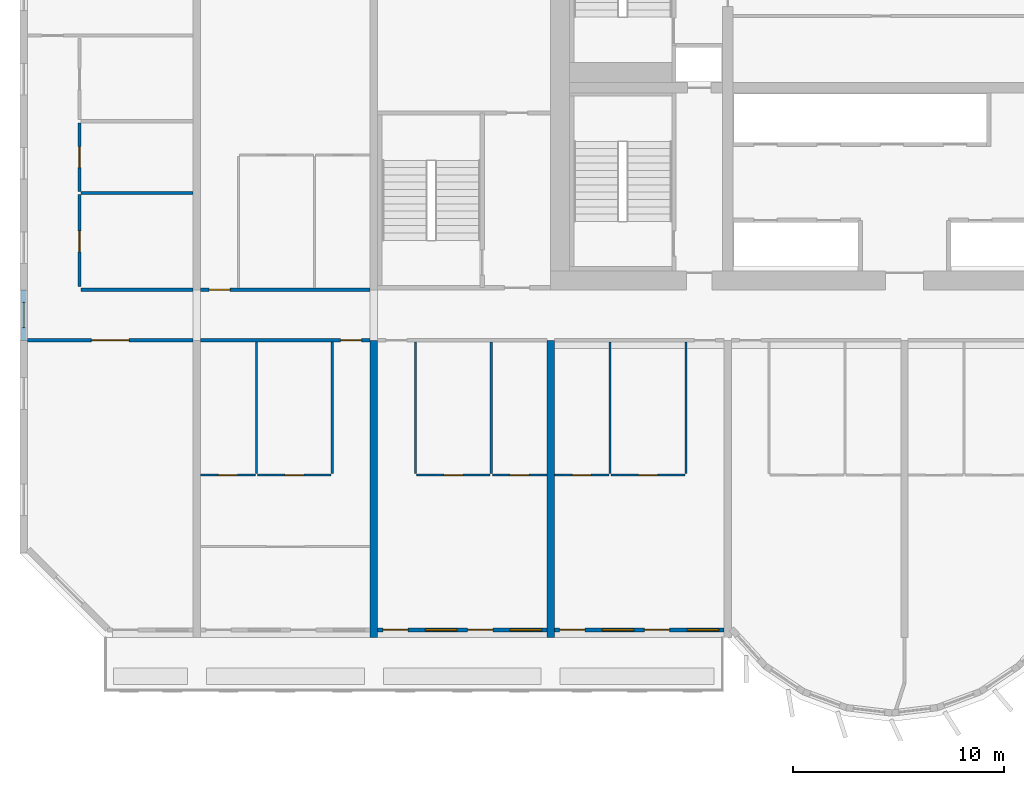
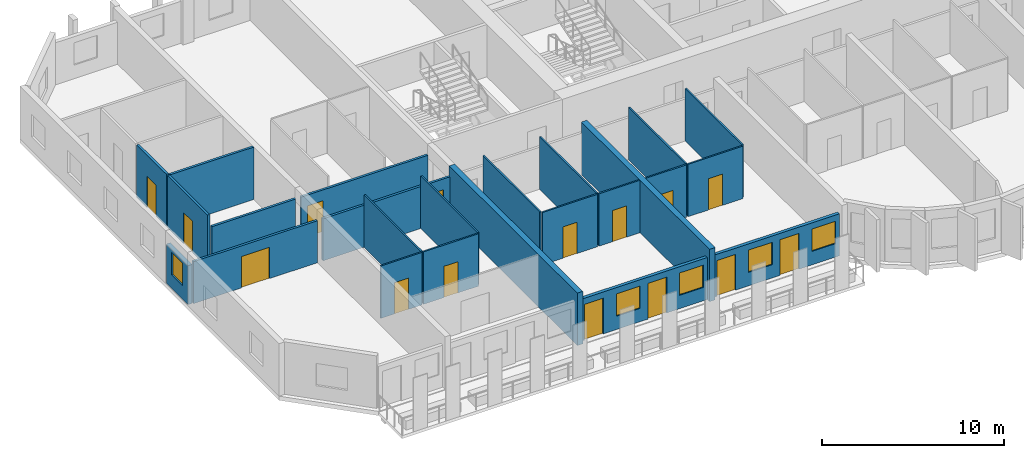
# One storey, part 3 of 14: 24 walls, 15 doors, 5 windows, 20 openings.
"""IFC4 building model written with IfcOpenShell, lengths in metres."""

from ifc_helpers import new_model, si_unit, direction, frame, frame_2d, origin, place, context, subcontext, project, spatial, rectangle, extrude, source, transform, mapped, material, layer, layer_set, type_object, element, fill, save


model = new_model("IFC4")

# Units and contexts
model_context = context("Model", 3, precision=1e-05, world=origin(), true_north=direction((0.0, 1.0)))
body_context = subcontext(model_context, "Body", "Model", "MODEL_VIEW")
ifc_project = project(units=[si_unit("LENGTHUNIT", "METRE"), si_unit("AREAUNIT", "SQUARE_METRE"), si_unit("VOLUMEUNIT", "CUBIC_METRE"), si_unit("PLANEANGLEUNIT", "RADIAN"), si_unit("MASSUNIT", "GRAM", prefix="KILO")], contexts=[model_context])

# Site, building, storey
site_placement = place(None, origin())
site = spatial("IfcSite", under=ifc_project, at=site_placement, CompositionType="ELEMENT")
building_placement = place(site_placement, origin())
building = spatial("IfcBuilding", under=site, at=building_placement, Name="Vanashikhar Sky Hotel", CompositionType="ELEMENT")
storey_placement = place(building_placement, frame((0.0, 0.0, 121.800048828125)))
storey = spatial("IfcBuildingStorey", under=building, at=storey_placement, Name="L29", CompositionType="ELEMENT", Elevation=121.800048828125)

# Walls
ifc_material_1 = material(Name="Concrete M70", Category="concrete")
ifc_layer_1 = layer(ifc_material_1, 0.35009765625)
ifc_layer_set_1 = layer_set([ifc_layer_1], Name="RC shear wall 350 Concrete M70")
wall_type_1 = type_object("IfcWallType", Name="RC shear wall 350 Concrete M70", PredefinedType="SHEAR", material=ifc_layer_set_1)
shared_shape_1 = source(origin(), body_context, "Body", "SweptSolid", [
    extrude(rectangle(XDim=14.10009765625, YDim=0.35009765625, at=frame_2d((7.050048828125, 0.0))), origin(), (0.0, 0.0, 1.0), 3.52001953125),
])
for number, where, z_axis, x_axis, name in (
    (1, (16.800048828125, 5.5, 0.0), (0.0, 0.0, 1.0), (0.0, 1.0, 0.0), "CW-L29-XW03-1"),
    (2, (25.199951171875, 5.5, 0.0), (0.0, 0.0, 1.0), (0.0, 1.0, 0.0), "CW-L29-XW04-1"),
):
    element("IfcWall", number, at=place(storey_placement, frame(where, z_axis=z_axis, x_axis=x_axis)), inside=storey, type_object=wall_type_1, Name=name, PredefinedType="SHEAR", context=body_context, shape_type="MappedRepresentation", body=[
        mapped(shared_shape_1, transform((0.0, 0.0, 0.0), scale=1.0)),
    ])

# Wall, opening, window
ifc_material_2 = material(Name="Concrete M50", Category="concrete")
ifc_layer_2 = layer(ifc_material_2, 0.25)
ifc_layer_set_2 = layer_set([ifc_layer_2], Name="Rear and end board-marked wall 250")
wall_type_2 = type_object("IfcWallType", Name="Rear and end board-marked wall 250", PredefinedType="SOLIDWALL", material=ifc_layer_set_2)
shared_shape_2 = source(origin(), body_context, "Body", "SweptSolid", [
    extrude(rectangle(XDim=2.39990234375, YDim=0.25, at=frame_2d((1.199951171875, 0.0))), origin(), (0.0, 0.0, 1.0), 2.619873046875),
])
wall_1_placement = place(storey_placement, frame((0.175048828125, 19.60009765625, 0.0), z_axis=(0.0, 0.0, 1.0), x_axis=(0.0, 1.0, 0.0)))
wall_1 = element("IfcWall", 3, at=wall_1_placement, inside=storey, type_object=wall_type_2, Name="End corridor infill wall", PredefinedType="SOLIDWALL", context=body_context, shape_type="MappedRepresentation", body=[
    mapped(shared_shape_2, transform((0.0, 0.0, 0.0), scale=1.0)),
])
shared_shape_3 = source(origin(), body_context, "Body", "SweptSolid", [
    extrude(rectangle(XDim=1.199951171875, YDim=1.5, at=frame_2d((0.60009765625, 0.75))), frame((0.0, 0.135009765625, 0.0), z_axis=(0.0, -1.0, 0.0), x_axis=(1.0, 0.0, 0.0)), (0.0, 0.0, 1.0), 0.27001953125),
])
opening_1_placement = place(wall_1_placement, frame((0.60009765625, 0.0, 0.89990234375)))
opening_1 = element("IfcOpeningElement", 4, at=opening_1_placement, cuts=wall_1, Name="Opening WN-3", PredefinedType="OPENING", context=body_context, shape_type="MappedRepresentation", body=[
    mapped(shared_shape_3, transform((0.0, 0.0, 0.0), scale=1.0)),
])
ifc_material_3 = material(Name="Glass", Category="glass")
window_type_1 = type_object("IfcWindowType", Name="Corridor end window 1200 x 1500", PartitioningType="SINGLE_PANEL", PredefinedType="WINDOW", material=ifc_material_3)
shared_shape_4 = source(origin(), body_context, "Body", "SweptSolid", [
    extrude(rectangle(XDim=1.199951171875, YDim=1.5, at=frame_2d((0.60009765625, 0.75))), frame((0.0, 0.030029296875, 0.0), z_axis=(0.0, -1.0, 0.0), x_axis=(1.0, 0.0, 0.0)), (0.0, 0.0, 1.0), 0.06005859375),
])
window_1_placement = place(opening_1_placement, origin())
window_1 = element("IfcWindow", 5, at=window_1_placement, inside=storey, type_object=window_type_1, Name="Window WN-3", OverallHeight=1.5, OverallWidth=1.199951171875, PartitioningType="SINGLE_PANEL", PredefinedType="WINDOW", context=body_context, shape_type="MappedRepresentation", body=[
    mapped(shared_shape_4, transform((0.0, 0.0, 0.0), scale=1.0)),
])
fill(opening_1, window_1)

# Wall, openings, windows, doors
ifc_layer_3 = layer(ifc_material_2, 0.199951171875)
ifc_layer_set_3 = layer_set([ifc_layer_3], Name="Front window wall 200")
wall_type_3 = type_object("IfcWallType", Name="Front window wall 200", PredefinedType="SOLIDWALL", material=ifc_layer_set_3)
shared_shape_5 = source(origin(), body_context, "Body", "SweptSolid", [
    extrude(rectangle(XDim=8.050048828125, YDim=0.199951171875, at=frame_2d((4.02490234375, 0.0))), origin(), (0.0, 0.0, 1.0), 2.820068359375),
])
wall_2_placement = place(storey_placement, frame((25.375, 5.85009765625, 0.0), z_axis=(0.0, 0.0, 1.0), x_axis=(1.0, 0.0, 0.0)))
wall_2 = element("IfcWall", 6, at=wall_2_placement, inside=storey, type_object=wall_type_3, Name="Front window wall", PredefinedType="SOLIDWALL", context=body_context, shape_type="MappedRepresentation", body=[
    mapped(shared_shape_5, transform((0.0, 0.0, 0.0), scale=1.0)),
])
shared_shape_6 = source(origin(), body_context, "Body", "SweptSolid", [
    extrude(rectangle(XDim=1.199951171875, YDim=2.39990234375, at=frame_2d((0.60009765625, 1.199951171875))), frame((0.0, 0.10986328125, 0.0), z_axis=(0.0, -1.0, 0.0), x_axis=(1.0, 0.0, 0.0)), (0.0, 0.0, 1.0), 0.219970703125),
])
opening_2_placement = place(wall_2_placement, frame((0.25, 0.0, 0.0)))
opening_2 = element("IfcOpeningElement", 7, at=opening_2_placement, cuts=wall_2, Name="Opening BD-06", PredefinedType="OPENING", context=body_context, shape_type="MappedRepresentation", body=[
    mapped(shared_shape_6, transform((0.0, 0.0, 0.0), scale=1.0)),
])
shared_shape_7 = source(origin(), body_context, "Body", "SweptSolid", [
    extrude(rectangle(XDim=1.5, YDim=1.5, at=frame_2d((0.75, 0.75))), frame((0.0, 0.10986328125, 0.0), z_axis=(0.0, -1.0, 0.0), x_axis=(1.0, 0.0, 0.0)), (0.0, 0.0, 1.0), 0.219970703125),
])
opening_3_placement = place(wall_2_placement, frame((2.27490234375, 0.0, 0.89990234375)))
opening_3 = element("IfcOpeningElement", 8, at=opening_3_placement, cuts=wall_2, Name="Opening WN-1", PredefinedType="OPENING", context=body_context, shape_type="MappedRepresentation", body=[
    mapped(shared_shape_7, transform((0.0, 0.0, 0.0), scale=1.0)),
])
opening_4_placement = place(wall_2_placement, frame((4.27490234375, 0.0, 0.0)))
opening_4 = element("IfcOpeningElement", 9, at=opening_4_placement, cuts=wall_2, Name="Opening BD-07", PredefinedType="OPENING", context=body_context, shape_type="MappedRepresentation", body=[
    mapped(shared_shape_6, transform((0.0, 0.0, 0.0), scale=1.0)),
])
opening_5_placement = place(wall_2_placement, frame((6.300048828125, 0.0, 0.89990234375)))
opening_5 = element("IfcOpeningElement", 10, at=opening_5_placement, cuts=wall_2, Name="Opening WN-1", PredefinedType="OPENING", context=body_context, shape_type="MappedRepresentation", body=[
    mapped(shared_shape_7, transform((0.0, 0.0, 0.0), scale=1.0)),
])
window_type_2 = type_object("IfcWindowType", Name="Window 1500 x 1500", PartitioningType="SINGLE_PANEL", PredefinedType="WINDOW", material=ifc_material_3)
shared_shape_8 = source(origin(), body_context, "Body", "SweptSolid", [
    extrude(rectangle(XDim=1.5, YDim=1.5, at=frame_2d((0.75, 0.75))), frame((0.0, 0.030029296875, 0.0), z_axis=(0.0, -1.0, 0.0), x_axis=(1.0, 0.0, 0.0)), (0.0, 0.0, 1.0), 0.06005859375),
])
window_2_placement = place(opening_3_placement, origin())
window_2 = element("IfcWindow", 11, at=window_2_placement, inside=storey, type_object=window_type_2, Name="Window WN-1", OverallHeight=1.5, OverallWidth=1.5, PartitioningType="SINGLE_PANEL", PredefinedType="WINDOW", context=body_context, shape_type="MappedRepresentation", body=[
    mapped(shared_shape_8, transform((0.0, 0.0, 0.0), scale=1.0)),
])
fill(opening_3, window_2)
window_3_placement = place(opening_5_placement, origin())
window_3 = element("IfcWindow", 12, at=window_3_placement, inside=storey, type_object=window_type_2, Name="Window WN-1", OverallHeight=1.5, OverallWidth=1.5, PartitioningType="SINGLE_PANEL", PredefinedType="WINDOW", context=body_context, shape_type="MappedRepresentation", body=[
    mapped(shared_shape_8, transform((0.0, 0.0, 0.0), scale=1.0)),
])
fill(opening_5, window_3)
ifc_material_4 = material(Name="Aluminium", Category="aluminium")
door_type_1 = type_object("IfcDoorType", Name="Balcony sliding door 1200 x 2400", OperationType="NOTDEFINED", PredefinedType="DOOR", material=ifc_material_4)
shared_shape_9 = source(origin(), body_context, "Body", "SweptSolid", [
    extrude(rectangle(XDim=1.199951171875, YDim=2.39990234375, at=frame_2d((0.60009765625, 1.199951171875))), frame((0.0, 0.02490234375, 0.0), z_axis=(0.0, -1.0, 0.0), x_axis=(1.0, 0.0, 0.0)), (0.0, 0.0, 1.0), 0.050048828125),
])
door_1_placement = place(opening_2_placement, origin())
door_1 = element("IfcDoor", 13, at=door_1_placement, inside=storey, type_object=door_type_1, Name="Balcony sliding door", OperationType="SLIDING_TO_RIGHT", OverallHeight=2.39990234375, OverallWidth=1.199951171875, PredefinedType="DOOR", context=body_context, shape_type="MappedRepresentation", body=[
    mapped(shared_shape_9, transform((0.0, 0.0, 0.0), scale=1.0)),
])
fill(opening_2, door_1)
door_2_placement = place(opening_4_placement, origin())
door_2 = element("IfcDoor", 14, at=door_2_placement, inside=storey, type_object=door_type_1, Name="Balcony sliding door", OperationType="SLIDING_TO_LEFT", OverallHeight=2.39990234375, OverallWidth=1.199951171875, PredefinedType="DOOR", context=body_context, shape_type="MappedRepresentation", body=[
    mapped(shared_shape_9, transform((0.0, 0.0, 0.0), scale=1.0)),
])
fill(opening_4, door_2)

shared_shape_10 = source(origin(), body_context, "Body", "SweptSolid", [
    extrude(rectangle(XDim=8.0498046875, YDim=0.199951171875, at=frame_2d((4.02490234375, 0.0))), origin(), (0.0, 0.0, 1.0), 2.820068359375),
])
wall_3_placement = place(storey_placement, frame((16.97509765625, 5.85009765625, 0.0), z_axis=(0.0, 0.0, 1.0), x_axis=(1.0, 0.0, 0.0)))
wall_3 = element("IfcWall", 15, at=wall_3_placement, inside=storey, type_object=wall_type_3, Name="Front window wall", PredefinedType="SOLIDWALL", context=body_context, shape_type="MappedRepresentation", body=[
    mapped(shared_shape_10, transform((0.0, 0.0, 0.0), scale=1.0)),
])
opening_6_placement = place(wall_3_placement, frame((0.25, 0.0, 0.0)))
opening_6 = element("IfcOpeningElement", 16, at=opening_6_placement, cuts=wall_3, Name="Opening BD-04", PredefinedType="OPENING", context=body_context, shape_type="MappedRepresentation", body=[
    mapped(shared_shape_6, transform((0.0, 0.0, 0.0), scale=1.0)),
])
opening_7_placement = place(wall_3_placement, frame((2.27490234375, 0.0, 0.89990234375)))
opening_7 = element("IfcOpeningElement", 17, at=opening_7_placement, cuts=wall_3, Name="Opening WN-1", PredefinedType="OPENING", context=body_context, shape_type="MappedRepresentation", body=[
    mapped(shared_shape_7, transform((0.0, 0.0, 0.0), scale=1.0)),
])
opening_8_placement = place(wall_3_placement, frame((4.27490234375, 0.0, 0.0)))
opening_8 = element("IfcOpeningElement", 18, at=opening_8_placement, cuts=wall_3, Name="Opening BD-05", PredefinedType="OPENING", context=body_context, shape_type="MappedRepresentation", body=[
    mapped(shared_shape_6, transform((0.0, 0.0, 0.0), scale=1.0)),
])
opening_9_placement = place(wall_3_placement, frame((6.300048828125, 0.0, 0.89990234375)))
opening_9 = element("IfcOpeningElement", 19, at=opening_9_placement, cuts=wall_3, Name="Opening WN-1", PredefinedType="OPENING", context=body_context, shape_type="MappedRepresentation", body=[
    mapped(shared_shape_7, transform((0.0, 0.0, 0.0), scale=1.0)),
])
window_4_placement = place(opening_7_placement, origin())
window_4 = element("IfcWindow", 20, at=window_4_placement, inside=storey, type_object=window_type_2, Name="Window WN-1", OverallHeight=1.5, OverallWidth=1.5, PartitioningType="SINGLE_PANEL", PredefinedType="WINDOW", context=body_context, shape_type="MappedRepresentation", body=[
    mapped(shared_shape_8, transform((0.0, 0.0, 0.0), scale=1.0)),
])
fill(opening_7, window_4)
window_5_placement = place(opening_9_placement, origin())
window_5 = element("IfcWindow", 21, at=window_5_placement, inside=storey, type_object=window_type_2, Name="Window WN-1", OverallHeight=1.5, OverallWidth=1.5, PartitioningType="SINGLE_PANEL", PredefinedType="WINDOW", context=body_context, shape_type="MappedRepresentation", body=[
    mapped(shared_shape_8, transform((0.0, 0.0, 0.0), scale=1.0)),
])
fill(opening_9, window_5)
door_3_placement = place(opening_6_placement, origin())
door_3 = element("IfcDoor", 22, at=door_3_placement, inside=storey, type_object=door_type_1, Name="Balcony sliding door", OperationType="SLIDING_TO_RIGHT", OverallHeight=2.39990234375, OverallWidth=1.199951171875, PredefinedType="DOOR", context=body_context, shape_type="MappedRepresentation", body=[
    mapped(shared_shape_9, transform((0.0, 0.0, 0.0), scale=1.0)),
])
fill(opening_6, door_3)
door_4_placement = place(opening_8_placement, origin())
door_4 = element("IfcDoor", 23, at=door_4_placement, inside=storey, type_object=door_type_1, Name="Balcony sliding door", OperationType="SLIDING_TO_LEFT", OverallHeight=2.39990234375, OverallWidth=1.199951171875, PredefinedType="DOOR", context=body_context, shape_type="MappedRepresentation", body=[
    mapped(shared_shape_9, transform((0.0, 0.0, 0.0), scale=1.0)),
])
fill(opening_8, door_4)

# Wall, opening, door
ifc_material_5 = material(Name="Gypsum plasterboard partition")
ifc_layer_4 = layer(ifc_material_5, 0.14990234375)
ifc_layer_set_4 = layer_set([ifc_layer_4], Name="Corridor and demising partition 150")
wall_type_4 = type_object("IfcWallType", Name="Corridor and demising partition 150", PredefinedType="PARTITIONING", material=ifc_layer_set_4)
shared_shape_11 = source(origin(), body_context, "Body", "SweptSolid", [
    extrude(rectangle(XDim=4.375, YDim=0.14990234375, at=frame_2d((2.1875, 0.0))), origin(), (0.0, 0.0, 1.0), 3.52001953125),
])
wall_4_placement = place(storey_placement, frame((2.824951171875, 22.14990234375, 0.0), z_axis=(0.0, 0.0, 1.0), x_axis=(0.0, 1.0, 0.0)))
wall_4 = element("IfcWall", 24, at=wall_4_placement, inside=storey, type_object=wall_type_4, Name="W-L29-PW060", PredefinedType="PARTITIONING", context=body_context, shape_type="MappedRepresentation", body=[
    mapped(shared_shape_11, transform((0.0, 0.0, 0.0), scale=1.0)),
])
shared_shape_12 = source(origin(), body_context, "Body", "SweptSolid", [
    extrude(rectangle(XDim=1.0, YDim=2.10009765625, at=frame_2d((0.5, 1.050048828125))), frame((0.0, 0.0849609375, 0.0), z_axis=(0.0, -1.0, 0.0), x_axis=(1.0, 0.0, 0.0)), (0.0, 0.0, 1.0), 0.169921875),
])
opening_10_placement = place(wall_4_placement, frame((1.64990234375, 0.0, 0.0)))
opening_10 = element("IfcOpeningElement", 25, at=opening_10_placement, cuts=wall_4, Name="Opening D-01", PredefinedType="OPENING", context=body_context, shape_type="MappedRepresentation", body=[
    mapped(shared_shape_12, transform((0.0, 0.0, 0.0), scale=1.0)),
])
ifc_material_6 = material(Name="Timber fire door", Category="wood")
door_type_2 = type_object("IfcDoorType", Name="Guest entry door 1000 FD30S", OperationType="NOTDEFINED", PredefinedType="DOOR", material=ifc_material_6)
shared_shape_13 = source(origin(), body_context, "Body", "SweptSolid", [
    extrude(rectangle(XDim=1.0, YDim=2.10009765625, at=frame_2d((0.5, 1.050048828125))), frame((0.0, 0.02490234375, 0.0), z_axis=(0.0, -1.0, 0.0), x_axis=(1.0, 0.0, 0.0)), (0.0, 0.0, 1.0), 0.050048828125),
])
door_5_placement = place(opening_10_placement, origin())
door_5 = element("IfcDoor", 26, at=door_5_placement, inside=storey, type_object=door_type_2, Name="D-L29-036", OperationType="SINGLE_SWING_LEFT", OverallHeight=2.10009765625, OverallWidth=1.0, PredefinedType="DOOR", context=body_context, shape_type="MappedRepresentation", body=[
    mapped(shared_shape_13, transform((0.0, 0.0, 0.0), scale=1.0)),
])
fill(opening_10, door_5)

shared_shape_14 = source(origin(), body_context, "Body", "SweptSolid", [
    extrude(rectangle(XDim=3.25, YDim=0.14990234375, at=frame_2d((1.625, 0.0))), origin(), (0.0, 0.0, 1.0), 3.52001953125),
])
wall_5_placement = place(storey_placement, frame((2.824951171875, 26.675048828125, 0.0), z_axis=(0.0, 0.0, 1.0), x_axis=(0.0, 1.0, 0.0)))
wall_5 = element("IfcWall", 27, at=wall_5_placement, inside=storey, type_object=wall_type_4, Name="W-L29-PW062", PredefinedType="PARTITIONING", context=body_context, shape_type="MappedRepresentation", body=[
    mapped(shared_shape_14, transform((0.0, 0.0, 0.0), scale=1.0)),
])
opening_11_placement = place(wall_5_placement, frame((1.125, 0.0, 0.0)))
opening_11 = element("IfcOpeningElement", 28, at=opening_11_placement, cuts=wall_5, Name="Opening D-01", PredefinedType="OPENING", context=body_context, shape_type="MappedRepresentation", body=[
    mapped(shared_shape_12, transform((0.0, 0.0, 0.0), scale=1.0)),
])
door_6_placement = place(opening_11_placement, origin())
door_6 = element("IfcDoor", 29, at=door_6_placement, inside=storey, type_object=door_type_2, Name="D-L29-037", OperationType="SINGLE_SWING_LEFT", OverallHeight=2.10009765625, OverallWidth=1.0, PredefinedType="DOOR", context=body_context, shape_type="MappedRepresentation", body=[
    mapped(shared_shape_13, transform((0.0, 0.0, 0.0), scale=1.0)),
])
fill(opening_11, door_6)

ifc_layer_5 = layer(ifc_material_5, 0.10009765625)
ifc_layer_set_5 = layer_set([ifc_layer_5], Name="Wet room partition 100")
wall_type_5 = type_object("IfcWallType", Name="Wet room partition 100", PredefinedType="PARTITIONING", material=ifc_layer_set_5)
shared_shape_15 = source(origin(), body_context, "Body", "SweptSolid", [
    extrude(rectangle(XDim=3.5, YDim=0.10009765625, at=frame_2d((1.75, 0.0))), origin(), (0.0, 0.0, 1.0), 3.52001953125),
])
wall_6_placement = place(storey_placement, frame((11.27490234375, 13.199951171875, 0.0), z_axis=(0.0, 0.0, 1.0), x_axis=(1.0, 0.0, 0.0)))
wall_6 = element("IfcWall", 30, at=wall_6_placement, inside=storey, type_object=wall_type_5, Name="W-L29-PW004", PredefinedType="PARTITIONING", context=body_context, shape_type="MappedRepresentation", body=[
    mapped(shared_shape_15, transform((0.0, 0.0, 0.0), scale=1.0)),
])
shared_shape_16 = source(origin(), body_context, "Body", "SweptSolid", [
    extrude(rectangle(XDim=0.89990234375, YDim=2.10009765625, at=frame_2d((0.449951171875, 1.050048828125))), frame((0.0, 0.06005859375, 0.0), z_axis=(0.0, -1.0, 0.0), x_axis=(1.0, 0.0, 0.0)), (0.0, 0.0, 1.0), 0.1201171875),
])
opening_12_placement = place(wall_6_placement, frame((1.300048828125, 0.0, 0.0)))
opening_12 = element("IfcOpeningElement", 31, at=opening_12_placement, cuts=wall_6, Name="Opening D-02", PredefinedType="OPENING", context=body_context, shape_type="MappedRepresentation", body=[
    mapped(shared_shape_16, transform((0.0, 0.0, 0.0), scale=1.0)),
])
ifc_material_7 = material(Name="Timber door", Category="wood")
door_type_3 = type_object("IfcDoorType", Name="Internal door 900", OperationType="NOTDEFINED", PredefinedType="DOOR", material=ifc_material_7)
shared_shape_17 = source(origin(), body_context, "Body", "SweptSolid", [
    extrude(rectangle(XDim=0.89990234375, YDim=2.10009765625, at=frame_2d((0.449951171875, 1.050048828125))), frame((0.0, 0.02490234375, 0.0), z_axis=(0.0, -1.0, 0.0), x_axis=(1.0, 0.0, 0.0)), (0.0, 0.0, 1.0), 0.050048828125),
])
door_7_placement = place(opening_12_placement, origin())
door_7 = element("IfcDoor", 32, at=door_7_placement, inside=storey, type_object=door_type_3, Name="D-L29-002", OperationType="SINGLE_SWING_RIGHT", OverallHeight=2.10009765625, OverallWidth=0.89990234375, PredefinedType="DOOR", context=body_context, shape_type="MappedRepresentation", body=[
    mapped(shared_shape_17, transform((0.0, 0.0, 0.0), scale=1.0)),
])
fill(opening_12, door_7)

wall_7_placement = place(storey_placement, frame((18.824951171875, 13.199951171875, 0.0), z_axis=(0.0, 0.0, 1.0), x_axis=(1.0, 0.0, 0.0)))
wall_7 = element("IfcWall", 33, at=wall_7_placement, inside=storey, type_object=wall_type_5, Name="W-L29-PW010", PredefinedType="PARTITIONING", context=body_context, shape_type="MappedRepresentation", body=[
    mapped(shared_shape_15, transform((0.0, 0.0, 0.0), scale=1.0)),
])
opening_13_placement = place(wall_7_placement, frame((1.300048828125, 0.0, 0.0)))
opening_13 = element("IfcOpeningElement", 34, at=opening_13_placement, cuts=wall_7, Name="Opening D-02", PredefinedType="OPENING", context=body_context, shape_type="MappedRepresentation", body=[
    mapped(shared_shape_16, transform((0.0, 0.0, 0.0), scale=1.0)),
])
door_8_placement = place(opening_13_placement, origin())
door_8 = element("IfcDoor", 35, at=door_8_placement, inside=storey, type_object=door_type_3, Name="D-L29-006", OperationType="SINGLE_SWING_LEFT", OverallHeight=2.10009765625, OverallWidth=0.89990234375, PredefinedType="DOOR", context=body_context, shape_type="MappedRepresentation", body=[
    mapped(shared_shape_17, transform((0.0, 0.0, 0.0), scale=1.0)),
])
fill(opening_13, door_8)

wall_8_placement = place(storey_placement, frame((28.074951171875, 13.199951171875, 0.0), z_axis=(0.0, 0.0, 1.0), x_axis=(1.0, 0.0, 0.0)))
wall_8 = element("IfcWall", 36, at=wall_8_placement, inside=storey, type_object=wall_type_5, Name="W-L29-PW015", PredefinedType="PARTITIONING", context=body_context, shape_type="MappedRepresentation", body=[
    mapped(shared_shape_15, transform((0.0, 0.0, 0.0), scale=1.0)),
])
opening_14_placement = place(wall_8_placement, frame((1.300048828125, 0.0, 0.0)))
opening_14 = element("IfcOpeningElement", 37, at=opening_14_placement, cuts=wall_8, Name="Opening D-02", PredefinedType="OPENING", context=body_context, shape_type="MappedRepresentation", body=[
    mapped(shared_shape_16, transform((0.0, 0.0, 0.0), scale=1.0)),
])
door_9_placement = place(opening_14_placement, origin())
door_9 = element("IfcDoor", 38, at=door_9_placement, inside=storey, type_object=door_type_3, Name="D-L29-009", OperationType="SINGLE_SWING_RIGHT", OverallHeight=2.10009765625, OverallWidth=0.89990234375, PredefinedType="DOOR", context=body_context, shape_type="MappedRepresentation", body=[
    mapped(shared_shape_17, transform((0.0, 0.0, 0.0), scale=1.0)),
])
fill(opening_14, door_9)

# Walls
shared_shape_18 = source(origin(), body_context, "Body", "SweptSolid", [
    extrude(rectangle(XDim=6.25, YDim=0.10009765625, at=frame_2d((3.125, 0.0))), origin(), (0.0, 0.0, 1.0), 3.52001953125),
])
for number, where, z_axis, x_axis, name in (
    (39, (14.824951171875, 13.27490234375, 0.0), (0.0, 0.0, 1.0), (0.0, 1.0, 0.0), "W-L29-PW002"),
    (40, (11.22509765625, 13.27490234375, 0.0), (0.0, 0.0, 1.0), (0.0, 1.0, 0.0), "W-L29-PW003"),
    (41, (18.77490234375, 13.27490234375, 0.0), (0.0, 0.0, 1.0), (0.0, 1.0, 0.0), "W-L29-PW008"),
    (42, (22.375, 13.27490234375, 0.0), (0.0, 0.0, 1.0), (0.0, 1.0, 0.0), "W-L29-PW009"),
    (43, (31.625, 13.27490234375, 0.0), (0.0, 0.0, 1.0), (0.0, 1.0, 0.0), "W-L29-PW013"),
    (44, (28.02490234375, 13.27490234375, 0.0), (0.0, 0.0, 1.0), (0.0, 1.0, 0.0), "W-L29-PW014"),
):
    element("IfcWall", number, at=place(storey_placement, frame(where, z_axis=z_axis, x_axis=x_axis)), inside=storey, type_object=wall_type_5, Name=name, PredefinedType="PARTITIONING", context=body_context, shape_type="MappedRepresentation", body=[
        mapped(shared_shape_18, transform((0.0, 0.0, 0.0), scale=1.0)),
    ])

# Wall, opening, door
shared_shape_19 = source(origin(), body_context, "Body", "SweptSolid", [
    extrude(rectangle(XDim=2.60009765625, YDim=0.10009765625, at=frame_2d((1.300048828125, 0.0))), origin(), (0.0, 0.0, 1.0), 3.52001953125),
])
wall_9_placement = place(storey_placement, frame((8.574951171875, 13.199951171875, 0.0), z_axis=(0.0, 0.0, 1.0), x_axis=(1.0, 0.0, 0.0)))
wall_9 = element("IfcWall", 45, at=wall_9_placement, inside=storey, type_object=wall_type_5, Name="W-L29-PW005", PredefinedType="PARTITIONING", context=body_context, shape_type="MappedRepresentation", body=[
    mapped(shared_shape_19, transform((0.0, 0.0, 0.0), scale=1.0)),
])
opening_15_placement = place(wall_9_placement, frame((0.85009765625, 0.0, 0.0)))
opening_15 = element("IfcOpeningElement", 46, at=opening_15_placement, cuts=wall_9, Name="Opening D-02", PredefinedType="OPENING", context=body_context, shape_type="MappedRepresentation", body=[
    mapped(shared_shape_16, transform((0.0, 0.0, 0.0), scale=1.0)),
])
door_10_placement = place(opening_15_placement, origin())
door_10 = element("IfcDoor", 47, at=door_10_placement, inside=storey, type_object=door_type_3, Name="D-L29-003", OperationType="SINGLE_SWING_RIGHT", OverallHeight=2.10009765625, OverallWidth=0.89990234375, PredefinedType="DOOR", context=body_context, shape_type="MappedRepresentation", body=[
    mapped(shared_shape_17, transform((0.0, 0.0, 0.0), scale=1.0)),
])
fill(opening_15, door_10)

wall_10_placement = place(storey_placement, frame((25.375, 13.199951171875, 0.0), z_axis=(0.0, 0.0, 1.0), x_axis=(1.0, 0.0, 0.0)))
wall_10 = element("IfcWall", 48, at=wall_10_placement, inside=storey, type_object=wall_type_5, Name="W-L29-PW016", PredefinedType="PARTITIONING", context=body_context, shape_type="MappedRepresentation", body=[
    mapped(shared_shape_19, transform((0.0, 0.0, 0.0), scale=1.0)),
])
opening_16_placement = place(wall_10_placement, frame((0.85009765625, 0.0, 0.0)))
opening_16 = element("IfcOpeningElement", 49, at=opening_16_placement, cuts=wall_10, Name="Opening D-02", PredefinedType="OPENING", context=body_context, shape_type="MappedRepresentation", body=[
    mapped(shared_shape_16, transform((0.0, 0.0, 0.0), scale=1.0)),
])
door_11_placement = place(opening_16_placement, origin())
door_11 = element("IfcDoor", 50, at=door_11_placement, inside=storey, type_object=door_type_3, Name="D-L29-010", OperationType="SINGLE_SWING_RIGHT", OverallHeight=2.10009765625, OverallWidth=0.89990234375, PredefinedType="DOOR", context=body_context, shape_type="MappedRepresentation", body=[
    mapped(shared_shape_17, transform((0.0, 0.0, 0.0), scale=1.0)),
])
fill(opening_16, door_11)

shared_shape_20 = source(origin(), body_context, "Body", "SweptSolid", [
    extrude(rectangle(XDim=8.050048828125, YDim=0.14990234375, at=frame_2d((4.02490234375, 0.0))), origin(), (0.0, 0.0, 1.0), 2.820068359375),
])
wall_11_placement = place(storey_placement, frame((8.574951171875, 19.60009765625, 0.0), z_axis=(0.0, 0.0, 1.0), x_axis=(1.0, 0.0, 0.0)))
wall_11 = element("IfcWall", 51, at=wall_11_placement, inside=storey, type_object=wall_type_4, Name="W-L29-PW007", PredefinedType="PARTITIONING", context=body_context, shape_type="MappedRepresentation", body=[
    mapped(shared_shape_20, transform((0.0, 0.0, 0.0), scale=1.0)),
])
opening_17_placement = place(wall_11_placement, frame((6.64990234375, 0.0, 0.0)))
opening_17 = element("IfcOpeningElement", 52, at=opening_17_placement, cuts=wall_11, Name="Opening D-01", PredefinedType="OPENING", context=body_context, shape_type="MappedRepresentation", body=[
    mapped(shared_shape_12, transform((0.0, 0.0, 0.0), scale=1.0)),
])
door_12_placement = place(opening_17_placement, origin())
door_12 = element("IfcDoor", 53, at=door_12_placement, inside=storey, type_object=door_type_2, Name="D-L29-005", OperationType="SINGLE_SWING_RIGHT", OverallHeight=2.10009765625, OverallWidth=1.0, PredefinedType="DOOR", context=body_context, shape_type="MappedRepresentation", body=[
    mapped(shared_shape_13, transform((0.0, 0.0, 0.0), scale=1.0)),
])
fill(opening_17, door_12)

wall_12_placement = place(storey_placement, frame((8.574951171875, 22.0, 0.0), z_axis=(0.0, 0.0, 1.0), x_axis=(1.0, 0.0, 0.0)))
wall_12 = element("IfcWall", 54, at=wall_12_placement, inside=storey, type_object=wall_type_4, Name="W-L29-PW070", PredefinedType="PARTITIONING", context=body_context, shape_type="MappedRepresentation", body=[
    mapped(shared_shape_20, transform((0.0, 0.0, 0.0), scale=1.0)),
])
opening_18_placement = place(wall_12_placement, frame((0.39990234375, 0.0, 0.0)))
opening_18 = element("IfcOpeningElement", 55, at=opening_18_placement, cuts=wall_12, Name="Opening D-01", PredefinedType="OPENING", context=body_context, shape_type="MappedRepresentation", body=[
    mapped(shared_shape_12, transform((0.0, 0.0, 0.0), scale=1.0)),
])
door_13_placement = place(opening_18_placement, origin())
door_13 = element("IfcDoor", 56, at=door_13_placement, inside=storey, type_object=door_type_2, Name="D-L29-042", OperationType="SINGLE_SWING_LEFT", OverallHeight=2.10009765625, OverallWidth=1.0, PredefinedType="DOOR", context=body_context, shape_type="MappedRepresentation", body=[
    mapped(shared_shape_13, transform((0.0, 0.0, 0.0), scale=1.0)),
])
fill(opening_18, door_13)

shared_shape_21 = source(origin(), body_context, "Body", "SweptSolid", [
    extrude(rectangle(XDim=2.599853515625, YDim=0.10009765625, at=frame_2d((1.2998046875, 0.0))), origin(), (0.0, 0.0, 1.0), 3.52001953125),
])
wall_13_placement = place(storey_placement, frame((22.425048828125, 13.199951171875, 0.0), z_axis=(0.0, 0.0, 1.0), x_axis=(1.0, 0.0, 0.0)))
wall_13 = element("IfcWall", 57, at=wall_13_placement, inside=storey, type_object=wall_type_5, Name="W-L29-PW011", PredefinedType="PARTITIONING", context=body_context, shape_type="MappedRepresentation", body=[
    mapped(shared_shape_21, transform((0.0, 0.0, 0.0), scale=1.0)),
])
opening_19_placement = place(wall_13_placement, frame((0.85009765625, 0.0, 0.0)))
opening_19 = element("IfcOpeningElement", 58, at=opening_19_placement, cuts=wall_13, Name="Opening D-02", PredefinedType="OPENING", context=body_context, shape_type="MappedRepresentation", body=[
    mapped(shared_shape_16, transform((0.0, 0.0, 0.0), scale=1.0)),
])
door_14_placement = place(opening_19_placement, origin())
door_14 = element("IfcDoor", 59, at=door_14_placement, inside=storey, type_object=door_type_3, Name="D-L29-007", OperationType="SINGLE_SWING_LEFT", OverallHeight=2.10009765625, OverallWidth=0.89990234375, PredefinedType="DOOR", context=body_context, shape_type="MappedRepresentation", body=[
    mapped(shared_shape_17, transform((0.0, 0.0, 0.0), scale=1.0)),
])
fill(opening_19, door_14)

# Walls
shared_shape_22 = source(origin(), body_context, "Body", "SweptSolid", [
    extrude(rectangle(XDim=5.3251953125, YDim=0.14990234375, at=frame_2d((2.66259765625, 0.0))), origin(), (0.0, 0.0, 1.0), 2.820068359375),
])
wall_14_placement = place(storey_placement, frame((2.89990234375, 22.0, 0.0), z_axis=(0.0, 0.0, 1.0), x_axis=(1.0, 0.0, 0.0)))
element("IfcWall", 60, at=wall_14_placement, inside=storey, type_object=wall_type_4, Name="W-L29-PW059", PredefinedType="PARTITIONING", context=body_context, shape_type="MappedRepresentation", body=[
    mapped(shared_shape_22, transform((0.0, 0.0, 0.0), scale=1.0)),
])
shared_shape_23 = source(origin(), body_context, "Body", "SweptSolid", [
    extrude(rectangle(XDim=5.3251953125, YDim=0.14990234375, at=frame_2d((2.66259765625, 0.0))), origin(), (0.0, 0.0, 1.0), 3.52001953125),
])
wall_15_placement = place(storey_placement, frame((2.89990234375, 26.60009765625, 0.0), z_axis=(0.0, 0.0, 1.0), x_axis=(1.0, 0.0, 0.0)))
element("IfcWall", 61, at=wall_15_placement, inside=storey, type_object=wall_type_4, Name="W-L29-PW061", PredefinedType="PARTITIONING", context=body_context, shape_type="MappedRepresentation", body=[
    mapped(shared_shape_23, transform((0.0, 0.0, 0.0), scale=1.0)),
])

# Wall, opening, door
shared_shape_24 = source(origin(), body_context, "Body", "SweptSolid", [
    extrude(rectangle(XDim=7.875, YDim=0.14990234375, at=frame_2d((3.9375, 0.0))), origin(), (0.0, 0.0, 1.0), 2.820068359375),
])
wall_16_placement = place(storey_placement, frame((0.35009765625, 19.60009765625, 0.0), z_axis=(0.0, 0.0, 1.0), x_axis=(1.0, 0.0, 0.0)))
wall_16 = element("IfcWall", 62, at=wall_16_placement, inside=storey, type_object=wall_type_4, Name="W-L29-PW001", PredefinedType="PARTITIONING", context=body_context, shape_type="MappedRepresentation", body=[
    mapped(shared_shape_24, transform((0.0, 0.0, 0.0), scale=1.0)),
])
shared_shape_25 = source(origin(), body_context, "Body", "SweptSolid", [
    extrude(rectangle(XDim=1.800048828125, YDim=2.10009765625, at=frame_2d((0.89990234375, 1.050048828125))), frame((0.0, 0.0849609375, 0.0), z_axis=(0.0, -1.0, 0.0), x_axis=(1.0, 0.0, 0.0)), (0.0, 0.0, 1.0), 0.169921875),
])
opening_20_placement = place(wall_16_placement, frame((3.037109375, 0.0, 0.0)))
opening_20 = element("IfcOpeningElement", 63, at=opening_20_placement, cuts=wall_16, Name="Opening D-03", PredefinedType="OPENING", context=body_context, shape_type="MappedRepresentation", body=[
    mapped(shared_shape_25, transform((0.0, 0.0, 0.0), scale=1.0)),
])
door_type_4 = type_object("IfcDoorType", Name="Double leaf door 1800 FD30S", OperationType="NOTDEFINED", PredefinedType="DOOR", material=ifc_material_6)
shared_shape_26 = source(origin(), body_context, "Body", "SweptSolid", [
    extrude(rectangle(XDim=1.800048828125, YDim=2.10009765625, at=frame_2d((0.89990234375, 1.050048828125))), frame((0.0, 0.02490234375, 0.0), z_axis=(0.0, -1.0, 0.0), x_axis=(1.0, 0.0, 0.0)), (0.0, 0.0, 1.0), 0.050048828125),
])
door_15_placement = place(opening_20_placement, origin())
door_15 = element("IfcDoor", 64, at=door_15_placement, inside=storey, type_object=door_type_4, Name="D-L29-001", OperationType="DOUBLE_DOOR_SINGLE_SWING", OverallHeight=2.10009765625, OverallWidth=1.800048828125, PredefinedType="DOOR", context=body_context, shape_type="MappedRepresentation", body=[
    mapped(shared_shape_26, transform((0.0, 0.0, 0.0), scale=1.0)),
])
fill(opening_20, door_15)

save(model, "model.ifc")
